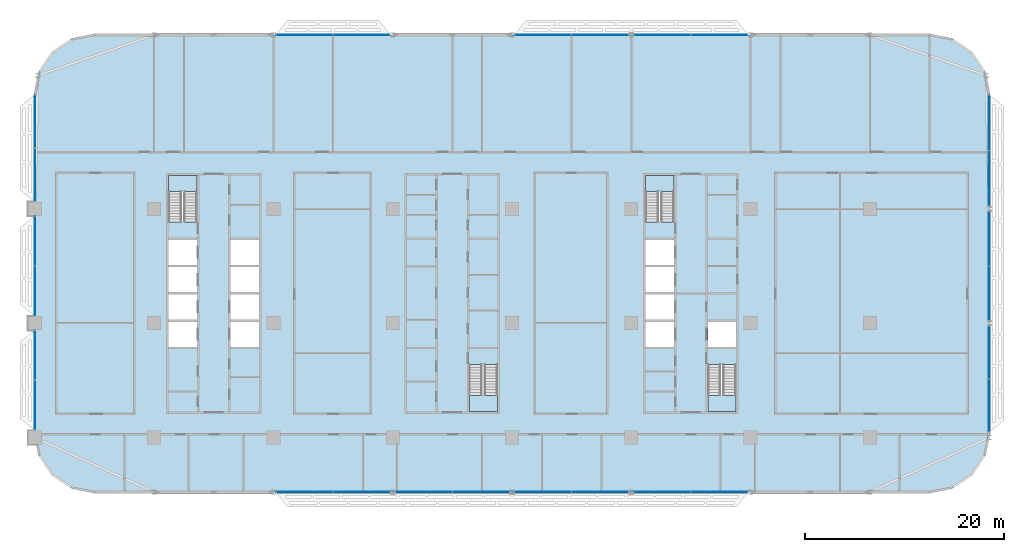
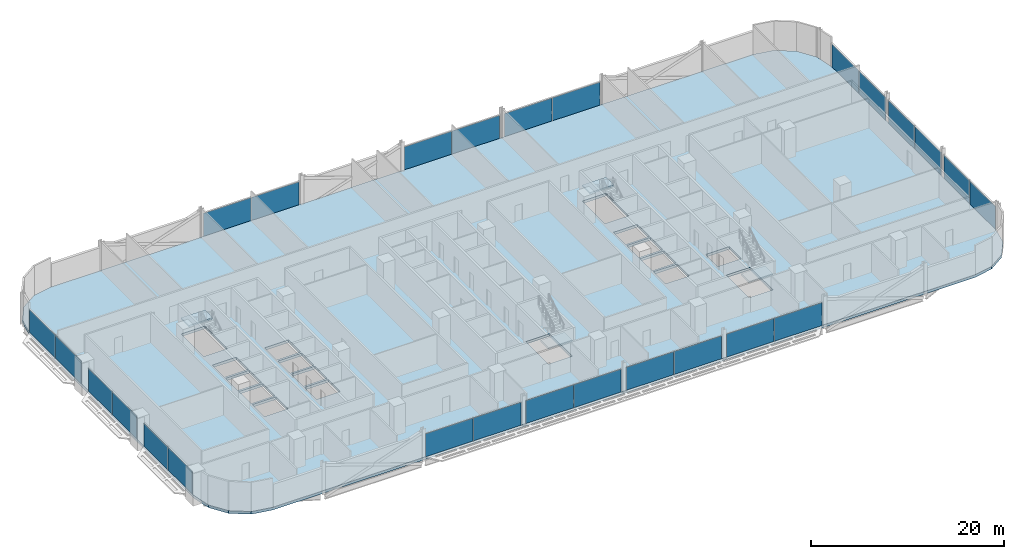
# One storey, part 11 of 29: 26 plates, 5 slabs, 17 elements without a shape of their own.
"""IFC4 building model written with IfcOpenShell, lengths in metres."""

from ifc_helpers import new_model, si_unit, direction, frame, origin, origin_2d, place, context, subcontext, project, spatial, polyline, rectangle, outline, extrude, material, layer, layer_set, type_object, element, aggregate, save


model = new_model("IFC4")

# Units and contexts
model_context = context("Model", 3, precision=1e-05, world=origin(), true_north=direction((0.0, 1.0)))
body_context = subcontext(model_context, "Body", "Model", "MODEL_VIEW")
ifc_project = project(units=[si_unit("LENGTHUNIT", "METRE"), si_unit("AREAUNIT", "SQUARE_METRE"), si_unit("VOLUMEUNIT", "CUBIC_METRE"), si_unit("PLANEANGLEUNIT", "RADIAN"), si_unit("MASSUNIT", "GRAM", prefix="KILO")], contexts=[model_context])

# Site, building, storey
site_placement = place(None, origin())
site = spatial("IfcSite", under=ifc_project, at=site_placement, CompositionType="ELEMENT")
building_placement = place(site_placement, origin())
building = spatial("IfcBuilding", under=site, at=building_placement, Name="Mahtab Terrace Research Tower", CompositionType="ELEMENT")
storey_placement = place(building_placement, frame((0.0, 0.0, 93.0)))
storey = spatial("IfcBuildingStorey", under=building, at=storey_placement, Name="L21", CompositionType="ELEMENT", Elevation=93.0)

# Stair, slab
ifc_material_1 = material(Name="Exit stair half-turn")
stair_type = type_object("IfcStairType", Name="Exit stair half-turn", PredefinedType="HALF_TURN_STAIR", material=ifc_material_1)
stair_1_placement = place(storey_placement, origin())
stair_1 = element("IfcStair", 1, at=stair_1_placement, inside=storey, type_object=stair_type, Name="L21 Protected exit stair ST1", PredefinedType="HALF_TURN_STAIR")
ifc_material_2 = material(Name="Concrete C40/50", Category="concrete")
ifc_layer_1 = layer(ifc_material_2, 0.199951171875)
ifc_layer_set_1 = layer_set([ifc_layer_1], Name="Exit stair landing 200")
slab_type_1 = type_object("IfcSlabType", Name="Exit stair landing 200", PredefinedType="LANDING", material=ifc_layer_set_1)
slab_1_placement = place(storey_placement, frame((0.0, 0.0, 1.85009765625)))
slab_1 = element("IfcSlab", 2, at=slab_1_placement, type_object=slab_type_1, Name="ST1 landing 1", PredefinedType="LANDING", context=body_context, shape_type="SweptSolid", body=[
    extrude(outline(polyline([(-25.699951171875, 13.2548828125), (-25.699951171875, 14.875), (-28.550048828125, 14.875), (-28.550048828125, 13.2548828125), (-25.699951171875, 13.2548828125)])), origin(), (0.0, 0.0, 1.0), 0.199951171875),
])
aggregate(stair_1, [slab_1])

stair_2_placement = place(storey_placement, origin())
stair_2 = element("IfcStair", 3, at=stair_2_placement, inside=storey, type_object=stair_type, Name="L21 Protected exit stair ST2", PredefinedType="HALF_TURN_STAIR")
slab_2_placement = place(storey_placement, frame((0.0, 0.0, 1.85009765625)))
slab_2 = element("IfcSlab", 4, at=slab_2_placement, type_object=slab_type_1, Name="ST2 landing 1", PredefinedType="LANDING", context=body_context, shape_type="SweptSolid", body=[
    extrude(outline(polyline([(1.699951171875, -7.2548828125), (1.699951171875, -8.875), (4.550048828125, -8.875), (4.550048828125, -7.2548828125), (1.699951171875, -7.2548828125)])), origin(), (0.0, 0.0, 1.0), 0.199951171875),
])
aggregate(stair_2, [slab_2])

stair_3_placement = place(storey_placement, origin())
stair_3 = element("IfcStair", 5, at=stair_3_placement, inside=storey, type_object=stair_type, Name="L21 Protected exit stair ST3", PredefinedType="HALF_TURN_STAIR")
slab_3_placement = place(storey_placement, frame((0.0, 0.0, 1.85009765625)))
slab_3 = element("IfcSlab", 6, at=slab_3_placement, type_object=slab_type_1, Name="ST3 landing 1", PredefinedType="LANDING", context=body_context, shape_type="SweptSolid", body=[
    extrude(outline(polyline([(22.300048828125, 13.2548828125), (22.300048828125, 14.875), (19.449951171875, 14.875), (19.449951171875, 13.2548828125), (22.300048828125, 13.2548828125)])), origin(), (0.0, 0.0, 1.0), 0.199951171875),
])
aggregate(stair_3, [slab_3])

stair_4_placement = place(storey_placement, origin())
stair_4 = element("IfcStair", 7, at=stair_4_placement, inside=storey, type_object=stair_type, Name="L21 Protected exit stair ST4", PredefinedType="HALF_TURN_STAIR")
slab_4_placement = place(storey_placement, frame((0.0, 0.0, 1.85009765625)))
slab_4 = element("IfcSlab", 8, at=slab_4_placement, type_object=slab_type_1, Name="ST4 landing 1", PredefinedType="LANDING", context=body_context, shape_type="SweptSolid", body=[
    extrude(outline(polyline([(25.699951171875, -7.2548828125), (25.699951171875, -8.875), (28.550048828125, -8.875), (28.550048828125, -7.2548828125), (25.699951171875, -7.2548828125)])), origin(), (0.0, 0.0, 1.0), 0.199951171875),
])
aggregate(stair_4, [slab_4])

# Curtain wall, plates
ifc_material_3 = material(Name="Laboratory ribbon curtain wall")
curtain_wall_type = type_object("IfcCurtainWallType", Name="Laboratory ribbon curtain wall", PredefinedType="NOTDEFINED", material=ifc_material_3)
curtain_wall_1_placement = place(storey_placement, origin())
curtain_wall_1 = element("IfcCurtainWall", 9, at=curtain_wall_1_placement, inside=storey, type_object=curtain_wall_type, Name="EN.L21.3.5", PredefinedType="NOTDEFINED")
ifc_material_4 = material(Name="Dark glazing", Category="glass")
ifc_layer_2 = layer(ifc_material_4, 0.031982421875)
ifc_layer_set_2 = layer_set([ifc_layer_2], Name="Laboratory ribbon curtain wall glazing panel")
plate_type = type_object("IfcPlateType", Name="Laboratory ribbon curtain wall glazing panel", PredefinedType="CURTAIN_PANEL", material=ifc_layer_set_2)
plate_1_placement = place(storey_placement, frame((26.86962890625, 29.0, 0.0), z_axis=(0.0, 0.0, 1.0), x_axis=(-1.0, 0.0, 0.0)))
plate_1 = element("IfcPlate", 10, at=plate_1_placement, type_object=plate_type, Name="CWL-3 panel 1", PredefinedType="CURTAIN_PANEL", context=body_context, shape_type="SweptSolid", body=[
    extrude(rectangle(XDim=5.674560546875, YDim=0.031982421875, at=origin_2d()), origin(), (0.0, 0.0, 1.0), 2.903076171875),
])
plate_2_placement = place(storey_placement, frame((21.13037109375, 29.0, 0.0), z_axis=(0.0, 0.0, 1.0), x_axis=(-1.0, 0.0, 0.0)))
plate_2 = element("IfcPlate", 11, at=plate_2_placement, type_object=plate_type, Name="CWL-3 panel 2", PredefinedType="CURTAIN_PANEL", context=body_context, shape_type="SweptSolid", body=[
    extrude(rectangle(XDim=5.674560546875, YDim=0.031982421875, at=origin_2d()), origin(), (0.0, 0.0, 1.0), 2.903076171875),
])
aggregate(curtain_wall_1, [plate_1, plate_2])

curtain_wall_2_placement = place(storey_placement, origin())
curtain_wall_2 = element("IfcCurtainWall", 12, at=curtain_wall_2_placement, inside=storey, type_object=curtain_wall_type, Name="EN.L21.3.6", PredefinedType="NOTDEFINED")
plate_3_placement = place(storey_placement, frame((14.86962890625, 29.0, 0.0), z_axis=(0.0, 0.0, 1.0), x_axis=(-1.0, 0.0, 0.0)))
plate_3 = element("IfcPlate", 13, at=plate_3_placement, type_object=plate_type, Name="CWL-3 panel 1", PredefinedType="CURTAIN_PANEL", context=body_context, shape_type="SweptSolid", body=[
    extrude(rectangle(XDim=5.674560546875, YDim=0.031982421875, at=origin_2d()), origin(), (0.0, 0.0, 1.0), 2.903076171875),
])
plate_4_placement = place(storey_placement, frame((9.13037109375, 29.0, 0.0), z_axis=(0.0, 0.0, 1.0), x_axis=(-1.0, 0.0, 0.0)))
plate_4 = element("IfcPlate", 14, at=plate_4_placement, type_object=plate_type, Name="CWL-3 panel 2", PredefinedType="CURTAIN_PANEL", context=body_context, shape_type="SweptSolid", body=[
    extrude(rectangle(XDim=5.674560546875, YDim=0.031982421875, at=origin_2d()), origin(), (0.0, 0.0, 1.0), 2.903076171875),
])
aggregate(curtain_wall_2, [plate_3, plate_4])

curtain_wall_3_placement = place(storey_placement, origin())
curtain_wall_3 = element("IfcCurtainWall", 15, at=curtain_wall_3_placement, inside=storey, type_object=curtain_wall_type, Name="EN.L21.3.8", PredefinedType="NOTDEFINED")
plate_5_placement = place(storey_placement, frame((-9.13037109375, 29.0, 0.0), z_axis=(0.0, 0.0, 1.0), x_axis=(-1.0, 0.0, 0.0)))
plate_5 = element("IfcPlate", 16, at=plate_5_placement, type_object=plate_type, Name="CWL-3 panel 1", PredefinedType="CURTAIN_PANEL", context=body_context, shape_type="SweptSolid", body=[
    extrude(rectangle(XDim=5.674560546875, YDim=0.031982421875, at=origin_2d()), origin(), (0.0, 0.0, 1.0), 2.903076171875),
])
plate_6_placement = place(storey_placement, frame((-14.86962890625, 29.0, 0.0), z_axis=(0.0, 0.0, 1.0), x_axis=(-1.0, 0.0, 0.0)))
plate_6 = element("IfcPlate", 17, at=plate_6_placement, type_object=plate_type, Name="CWL-3 panel 2", PredefinedType="CURTAIN_PANEL", context=body_context, shape_type="SweptSolid", body=[
    extrude(rectangle(XDim=5.674560546875, YDim=0.031982421875, at=origin_2d()), origin(), (0.0, 0.0, 1.0), 2.903076171875),
])
aggregate(curtain_wall_3, [plate_5, plate_6])

curtain_wall_4_placement = place(storey_placement, origin())
curtain_wall_4 = element("IfcCurtainWall", 18, at=curtain_wall_4_placement, inside=storey, type_object=curtain_wall_type, Name="EN.L21.8.16", PredefinedType="NOTDEFINED")
plate_7_placement = place(storey_placement, frame((-42.0, 20.28369140625, 0.0), z_axis=(0.0, 0.0, 1.0), x_axis=(0.0, -1.0, 0.0)))
plate_7 = element("IfcPlate", 19, at=plate_7_placement, type_object=plate_type, Name="CWL-3 panel 1", PredefinedType="CURTAIN_PANEL", context=body_context, shape_type="SweptSolid", body=[
    extrude(rectangle(XDim=5.302490234375, YDim=0.031982421875, at=origin_2d()), origin(), (0.0, 0.0, 1.0), 2.903076171875),
])
plate_8_placement = place(storey_placement, frame((-42.0, 14.916259765625, 0.0), z_axis=(0.0, 0.0, 1.0), x_axis=(0.0, -1.0, 0.0)))
plate_8 = element("IfcPlate", 20, at=plate_8_placement, type_object=plate_type, Name="CWL-3 panel 2", PredefinedType="CURTAIN_PANEL", context=body_context, shape_type="SweptSolid", body=[
    extrude(rectangle(XDim=5.302490234375, YDim=0.031982421875, at=origin_2d()), origin(), (0.0, 0.0, 1.0), 2.903076171875),
])
aggregate(curtain_wall_4, [plate_7, plate_8])

curtain_wall_5_placement = place(storey_placement, origin())
curtain_wall_5 = element("IfcCurtainWall", 21, at=curtain_wall_5_placement, inside=storey, type_object=curtain_wall_type, Name="EN.L21.8.17", PredefinedType="NOTDEFINED")
plate_9_placement = place(storey_placement, frame((-42.0, 8.2587890625, 0.0), z_axis=(0.0, 0.0, 1.0), x_axis=(0.0, -1.0, 0.0)))
plate_9 = element("IfcPlate", 22, at=plate_9_placement, type_object=plate_type, Name="CWL-3 panel 1", PredefinedType="CURTAIN_PANEL", context=body_context, shape_type="SweptSolid", body=[
    extrude(rectangle(XDim=4.952392578125, YDim=0.031982421875, at=origin_2d()), origin(), (0.0, 0.0, 1.0), 2.903076171875),
])
plate_10_placement = place(storey_placement, frame((-42.0, 3.2412109375, 0.0), z_axis=(0.0, 0.0, 1.0), x_axis=(0.0, -1.0, 0.0)))
plate_10 = element("IfcPlate", 23, at=plate_10_placement, type_object=plate_type, Name="CWL-3 panel 2", PredefinedType="CURTAIN_PANEL", context=body_context, shape_type="SweptSolid", body=[
    extrude(rectangle(XDim=4.952392578125, YDim=0.031982421875, at=origin_2d()), origin(), (0.0, 0.0, 1.0), 2.903076171875),
])
aggregate(curtain_wall_5, [plate_9, plate_10])

curtain_wall_6_placement = place(storey_placement, origin())
curtain_wall_6 = element("IfcCurtainWall", 24, at=curtain_wall_6_placement, inside=storey, type_object=curtain_wall_type, Name="EN.L21.8.18", PredefinedType="NOTDEFINED")
plate_11_placement = place(storey_placement, frame((-42.0, -3.2412109375, 0.0), z_axis=(0.0, 0.0, 1.0), x_axis=(0.0, -1.0, 0.0)))
plate_11 = element("IfcPlate", 25, at=plate_11_placement, type_object=plate_type, Name="CWL-3 panel 1", PredefinedType="CURTAIN_PANEL", context=body_context, shape_type="SweptSolid", body=[
    extrude(rectangle(XDim=4.952392578125, YDim=0.031982421875, at=origin_2d()), origin(), (0.0, 0.0, 1.0), 2.903076171875),
])
plate_12_placement = place(storey_placement, frame((-42.0, -8.2587890625, 0.0), z_axis=(0.0, 0.0, 1.0), x_axis=(0.0, -1.0, 0.0)))
plate_12 = element("IfcPlate", 26, at=plate_12_placement, type_object=plate_type, Name="CWL-3 panel 2", PredefinedType="CURTAIN_PANEL", context=body_context, shape_type="SweptSolid", body=[
    extrude(rectangle(XDim=4.952392578125, YDim=0.031982421875, at=origin_2d()), origin(), (0.0, 0.0, 1.0), 2.903076171875),
])
aggregate(curtain_wall_6, [plate_11, plate_12])

curtain_wall_7_placement = place(storey_placement, origin())
curtain_wall_7 = element("IfcCurtainWall", 27, at=curtain_wall_7_placement, inside=storey, type_object=curtain_wall_type, Name="EN.L21.13.25", PredefinedType="NOTDEFINED")
plate_13_placement = place(storey_placement, frame((-14.86962890625, -17.0, 0.0), z_axis=(0.0, 0.0, 1.0), x_axis=(1.0, 0.0, 0.0)))
plate_13 = element("IfcPlate", 28, at=plate_13_placement, type_object=plate_type, Name="CWL-3 panel 1", PredefinedType="CURTAIN_PANEL", context=body_context, shape_type="SweptSolid", body=[
    extrude(rectangle(XDim=5.674560546875, YDim=0.031982421875, at=origin_2d()), origin(), (0.0, 0.0, 1.0), 2.903076171875),
])
plate_14_placement = place(storey_placement, frame((-9.13037109375, -17.0, 0.0), z_axis=(0.0, 0.0, 1.0), x_axis=(1.0, 0.0, 0.0)))
plate_14 = element("IfcPlate", 29, at=plate_14_placement, type_object=plate_type, Name="CWL-3 panel 2", PredefinedType="CURTAIN_PANEL", context=body_context, shape_type="SweptSolid", body=[
    extrude(rectangle(XDim=5.674560546875, YDim=0.031982421875, at=origin_2d()), origin(), (0.0, 0.0, 1.0), 2.903076171875),
])
aggregate(curtain_wall_7, [plate_13, plate_14])

curtain_wall_8_placement = place(storey_placement, origin())
curtain_wall_8 = element("IfcCurtainWall", 30, at=curtain_wall_8_placement, inside=storey, type_object=curtain_wall_type, Name="EN.L21.13.26", PredefinedType="NOTDEFINED")
plate_15_placement = place(storey_placement, frame((-2.86962890625, -17.0, 0.0), z_axis=(0.0, 0.0, 1.0), x_axis=(1.0, 0.0, 0.0)))
plate_15 = element("IfcPlate", 31, at=plate_15_placement, type_object=plate_type, Name="CWL-3 panel 1", PredefinedType="CURTAIN_PANEL", context=body_context, shape_type="SweptSolid", body=[
    extrude(rectangle(XDim=5.674560546875, YDim=0.031982421875, at=origin_2d()), origin(), (0.0, 0.0, 1.0), 2.903076171875),
])
plate_16_placement = place(storey_placement, frame((2.86962890625, -17.0, 0.0), z_axis=(0.0, 0.0, 1.0), x_axis=(1.0, 0.0, 0.0)))
plate_16 = element("IfcPlate", 32, at=plate_16_placement, type_object=plate_type, Name="CWL-3 panel 2", PredefinedType="CURTAIN_PANEL", context=body_context, shape_type="SweptSolid", body=[
    extrude(rectangle(XDim=5.674560546875, YDim=0.031982421875, at=origin_2d()), origin(), (0.0, 0.0, 1.0), 2.903076171875),
])
aggregate(curtain_wall_8, [plate_15, plate_16])

curtain_wall_9_placement = place(storey_placement, origin())
curtain_wall_9 = element("IfcCurtainWall", 33, at=curtain_wall_9_placement, inside=storey, type_object=curtain_wall_type, Name="EN.L21.13.27", PredefinedType="NOTDEFINED")
plate_17_placement = place(storey_placement, frame((9.13037109375, -17.0, 0.0), z_axis=(0.0, 0.0, 1.0), x_axis=(1.0, 0.0, 0.0)))
plate_17 = element("IfcPlate", 34, at=plate_17_placement, type_object=plate_type, Name="CWL-3 panel 1", PredefinedType="CURTAIN_PANEL", context=body_context, shape_type="SweptSolid", body=[
    extrude(rectangle(XDim=5.674560546875, YDim=0.031982421875, at=origin_2d()), origin(), (0.0, 0.0, 1.0), 2.903076171875),
])
plate_18_placement = place(storey_placement, frame((14.86962890625, -17.0, 0.0), z_axis=(0.0, 0.0, 1.0), x_axis=(1.0, 0.0, 0.0)))
plate_18 = element("IfcPlate", 35, at=plate_18_placement, type_object=plate_type, Name="CWL-3 panel 2", PredefinedType="CURTAIN_PANEL", context=body_context, shape_type="SweptSolid", body=[
    extrude(rectangle(XDim=5.674560546875, YDim=0.031982421875, at=origin_2d()), origin(), (0.0, 0.0, 1.0), 2.903076171875),
])
aggregate(curtain_wall_9, [plate_17, plate_18])

curtain_wall_10_placement = place(storey_placement, origin())
curtain_wall_10 = element("IfcCurtainWall", 36, at=curtain_wall_10_placement, inside=storey, type_object=curtain_wall_type, Name="EN.L21.13.28", PredefinedType="NOTDEFINED")
plate_19_placement = place(storey_placement, frame((21.13037109375, -17.0, 0.0), z_axis=(0.0, 0.0, 1.0), x_axis=(1.0, 0.0, 0.0)))
plate_19 = element("IfcPlate", 37, at=plate_19_placement, type_object=plate_type, Name="CWL-3 panel 1", PredefinedType="CURTAIN_PANEL", context=body_context, shape_type="SweptSolid", body=[
    extrude(rectangle(XDim=5.674560546875, YDim=0.031982421875, at=origin_2d()), origin(), (0.0, 0.0, 1.0), 2.903076171875),
])
plate_20_placement = place(storey_placement, frame((26.86962890625, -17.0, 0.0), z_axis=(0.0, 0.0, 1.0), x_axis=(1.0, 0.0, 0.0)))
plate_20 = element("IfcPlate", 38, at=plate_20_placement, type_object=plate_type, Name="CWL-3 panel 2", PredefinedType="CURTAIN_PANEL", context=body_context, shape_type="SweptSolid", body=[
    extrude(rectangle(XDim=5.674560546875, YDim=0.031982421875, at=origin_2d()), origin(), (0.0, 0.0, 1.0), 2.903076171875),
])
aggregate(curtain_wall_10, [plate_19, plate_20])

curtain_wall_11_placement = place(storey_placement, origin())
curtain_wall_11 = element("IfcCurtainWall", 39, at=curtain_wall_11_placement, inside=storey, type_object=curtain_wall_type, Name="EN.L21.18.36", PredefinedType="NOTDEFINED")
plate_21_placement = place(storey_placement, frame((54.0, -8.290771484375, 0.0), z_axis=(0.0, 0.0, 1.0), x_axis=(0.0, 1.0, 0.0)))
plate_21 = element("IfcPlate", 40, at=plate_21_placement, type_object=plate_type, Name="CWL-3 panel 1", PredefinedType="CURTAIN_PANEL", context=body_context, shape_type="SweptSolid", body=[
    extrude(rectangle(XDim=5.28857421875, YDim=0.031982421875, at=origin_2d()), origin(), (0.0, 0.0, 1.0), 2.903076171875),
])
plate_22_placement = place(storey_placement, frame((54.0, -2.937255859375, 0.0), z_axis=(0.0, 0.0, 1.0), x_axis=(0.0, 1.0, 0.0)))
plate_22 = element("IfcPlate", 41, at=plate_22_placement, type_object=plate_type, Name="CWL-3 panel 2", PredefinedType="CURTAIN_PANEL", context=body_context, shape_type="SweptSolid", body=[
    extrude(rectangle(XDim=5.28857421875, YDim=0.031982421875, at=origin_2d()), origin(), (0.0, 0.0, 1.0), 2.903076171875),
])
aggregate(curtain_wall_11, [plate_21, plate_22])

curtain_wall_12_placement = place(storey_placement, origin())
curtain_wall_12 = element("IfcCurtainWall", 42, at=curtain_wall_12_placement, inside=storey, type_object=curtain_wall_type, Name="EN.L21.18.37", PredefinedType="NOTDEFINED")
plate_23_placement = place(storey_placement, frame((54.0, 3.00537109375, 0.0), z_axis=(0.0, 0.0, 1.0), x_axis=(0.0, 1.0, 0.0)))
plate_23 = element("IfcPlate", 43, at=plate_23_placement, type_object=plate_type, Name="CWL-3 panel 1", PredefinedType="CURTAIN_PANEL", context=body_context, shape_type="SweptSolid", body=[
    extrude(rectangle(XDim=5.424560546875, YDim=0.031982421875, at=origin_2d()), origin(), (0.0, 0.0, 1.0), 2.903076171875),
])
plate_24_placement = place(storey_placement, frame((54.0, 8.49462890625, 0.0), z_axis=(0.0, 0.0, 1.0), x_axis=(0.0, 1.0, 0.0)))
plate_24 = element("IfcPlate", 44, at=plate_24_placement, type_object=plate_type, Name="CWL-3 panel 2", PredefinedType="CURTAIN_PANEL", context=body_context, shape_type="SweptSolid", body=[
    extrude(rectangle(XDim=5.424560546875, YDim=0.031982421875, at=origin_2d()), origin(), (0.0, 0.0, 1.0), 2.903076171875),
])
aggregate(curtain_wall_12, [plate_23, plate_24])

curtain_wall_13_placement = place(storey_placement, origin())
curtain_wall_13 = element("IfcCurtainWall", 45, at=curtain_wall_13_placement, inside=storey, type_object=curtain_wall_type, Name="EN.L21.18.38", PredefinedType="NOTDEFINED")
plate_25_placement = place(storey_placement, frame((54.0, 14.562255859375, 0.0), z_axis=(0.0, 0.0, 1.0), x_axis=(0.0, 1.0, 0.0)))
plate_25 = element("IfcPlate", 46, at=plate_25_placement, type_object=plate_type, Name="CWL-3 panel 1", PredefinedType="CURTAIN_PANEL", context=body_context, shape_type="SweptSolid", body=[
    extrude(rectangle(XDim=5.53857421875, YDim=0.031982421875, at=origin_2d()), origin(), (0.0, 0.0, 1.0), 2.903076171875),
])
plate_26_placement = place(storey_placement, frame((54.0, 20.165771484375, 0.0), z_axis=(0.0, 0.0, 1.0), x_axis=(0.0, 1.0, 0.0)))
plate_26 = element("IfcPlate", 47, at=plate_26_placement, type_object=plate_type, Name="CWL-3 panel 2", PredefinedType="CURTAIN_PANEL", context=body_context, shape_type="SweptSolid", body=[
    extrude(rectangle(XDim=5.53857421875, YDim=0.031982421875, at=origin_2d()), origin(), (0.0, 0.0, 1.0), 2.903076171875),
])
aggregate(curtain_wall_13, [plate_25, plate_26])

# Slab
ifc_layer_3 = layer(ifc_material_2, 0.340087890625)
ifc_layer_set_3 = layer_set([ifc_layer_3], Name="PT flat slab 340")
slab_type_2 = type_object("IfcSlabType", Name="PT flat slab 340", PredefinedType="FLOOR", material=ifc_layer_set_3)
slab_5_placement = place(storey_placement, frame((0.0, 0.0, -0.340087890625)))
element("IfcSlab", 48, at=slab_5_placement, inside=storey, type_object=slab_type_2, Name="Floor slab L21", PredefinedType="FLOOR", context=body_context, shape_type="SweptSolid", body=[
    extrude(outline(polyline([(53.54296875, 25.2958984375), (52.242919921875, 27.242919921875), (50.2958984375, 28.54296875), (48.0, 29.0), (-36.0, 29.0), (-38.2958984375, 28.54296875), (-40.242919921875, 27.242919921875), (-41.54296875, 25.2958984375), (-42.0, 23.0), (-42.0, -11.0), (-41.54296875, -13.2958984375), (-40.242919921875, -15.242919921875), (-38.2958984375, -16.54296875), (-36.0, -17.0), (48.0, -17.0), (50.2958984375, -16.54296875), (52.242919921875, -15.242919921875), (53.54296875, -13.2958984375), (54.0, -11.0), (54.0, 23.0), (53.54296875, 25.2958984375)]), holes=[polyline([(-28.550048828125, -2.375), (-28.550048828125, 0.125), (-25.699951171875, 0.125), (-25.699951171875, -2.375), (-28.550048828125, -2.375)]), polyline([(-22.300048828125, -2.375), (-22.300048828125, 0.125), (-19.449951171875, 0.125), (-19.449951171875, -2.375), (-22.300048828125, -2.375)]), polyline([(-28.550048828125, 0.375), (-28.550048828125, 2.875), (-25.699951171875, 2.875), (-25.699951171875, 0.375), (-28.550048828125, 0.375)]), polyline([(-22.300048828125, 0.375), (-22.300048828125, 2.875), (-19.449951171875, 2.875), (-19.449951171875, 0.375), (-22.300048828125, 0.375)]), polyline([(-28.550048828125, 3.125), (-28.550048828125, 5.625), (-25.699951171875, 5.625), (-25.699951171875, 3.125), (-28.550048828125, 3.125)]), polyline([(-22.300048828125, 3.125), (-22.300048828125, 5.625), (-19.449951171875, 5.625), (-19.449951171875, 3.125), (-22.300048828125, 3.125)]), polyline([(-28.550048828125, 5.875), (-28.550048828125, 8.375), (-25.699951171875, 8.375), (-25.699951171875, 5.875), (-28.550048828125, 5.875)]), polyline([(-22.300048828125, 5.875), (-22.300048828125, 8.375), (-19.449951171875, 8.375), (-19.449951171875, 5.875), (-22.300048828125, 5.875)]), polyline([(-28.550048828125, 10.177001953125), (-28.550048828125, 14.875), (-25.699951171875, 14.875), (-25.699951171875, 10.177001953125), (-28.550048828125, 10.177001953125)]), polyline([(1.699951171875, -8.875), (1.699951171875, -4.177001953125), (4.550048828125, -4.177001953125), (4.550048828125, -8.875), (1.699951171875, -8.875)]), polyline([(25.699951171875, -8.875), (25.699951171875, -4.177001953125), (28.550048828125, -4.177001953125), (28.550048828125, -8.875), (25.699951171875, -8.875)]), polyline([(19.449951171875, -2.375), (19.449951171875, 0.125), (22.300048828125, 0.125), (22.300048828125, -2.375), (19.449951171875, -2.375)]), polyline([(25.699951171875, -2.375), (25.699951171875, 0.125), (28.550048828125, 0.125), (28.550048828125, -2.375), (25.699951171875, -2.375)]), polyline([(19.449951171875, 0.375), (19.449951171875, 2.875), (22.300048828125, 2.875), (22.300048828125, 0.375), (19.449951171875, 0.375)]), polyline([(19.449951171875, 3.125), (19.449951171875, 5.625), (22.300048828125, 5.625), (22.300048828125, 3.125), (19.449951171875, 3.125)]), polyline([(19.449951171875, 8.375), (22.300048828125, 8.375), (22.300048828125, 5.875), (19.449951171875, 5.875), (19.449951171875, 8.375)]), polyline([(19.449951171875, 14.875), (22.300048828125, 14.875), (22.300048828125, 10.177001953125), (19.449951171875, 10.177001953125), (19.449951171875, 14.875)])]), origin(), (0.0, 0.0, 1.0), 0.340087890625),
])

save(model, "model.ifc")
